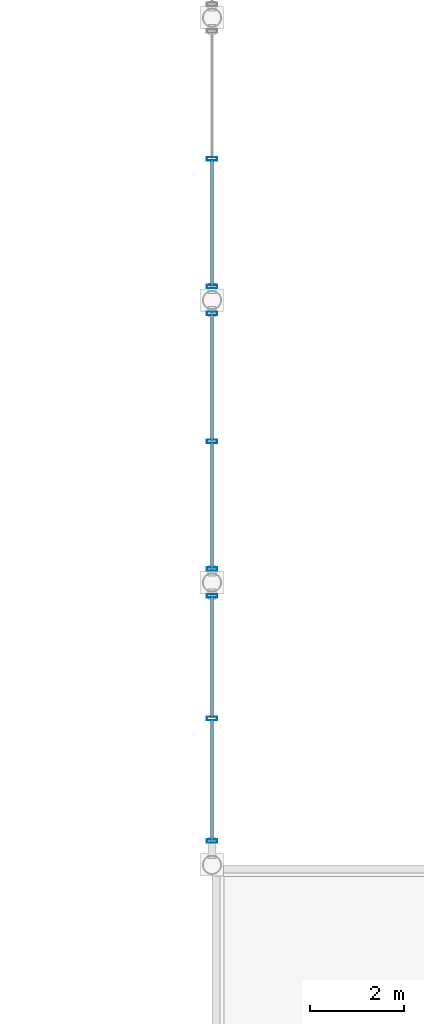
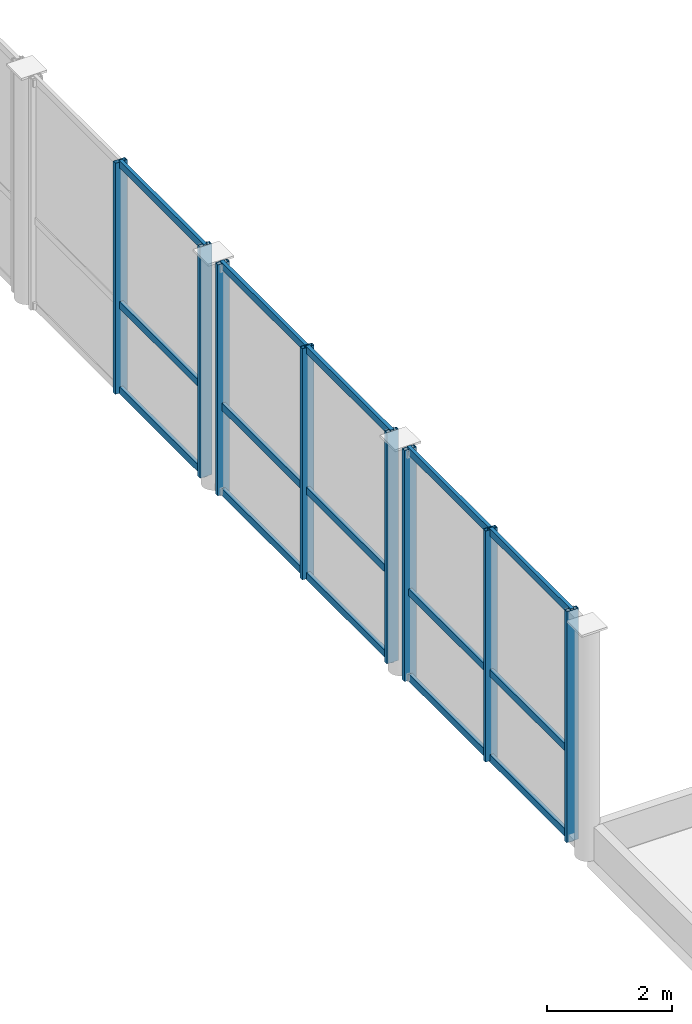
# One storey, part 31 of 133: 23 members, 3 elements without a shape of their own.
"""IFC4 building model written with IfcOpenShell, lengths in metres."""

import ifcopenshell
import ifcopenshell.guid

model = None  # the IFC model being written
_history = None  # IfcOwnerHistory: only IFC2X3 demands one
_inside = {}  # id of a spatial element -> (the spatial element, [elements in it])
_under = {}  # id of a project, library or spatial element -> (it, [spatial elements below it])
_declared = {}  # id of a project -> (the project, [libraries it declares])
_typed = {}  # id of a type object -> (the type object, [elements of that type])
_made_of = {}  # id of a material, layer set ... -> (it, [elements and type objects made of it])


def new_model(schema):
    """Start an empty IFC model of exactly this schema.

    Asked for "IFC4X3", IfcOpenShell would pick the latest addendum, in which some entities
    have other attributes; the version numbers below select the first issue.
    IFC2X3 requires an IfcOwnerHistory on every rooted entity: one is made here for all.
    """
    global model, _history
    if schema == "IFC4X3":
        model = ifcopenshell.file(schema_version=(4, 3, 0, 0))
    else:
        model = ifcopenshell.file(schema=schema)
    _inside.clear()
    _under.clear()
    _declared.clear()
    _typed.clear()
    _made_of.clear()
    _history = None
    if model.schema == "IFC2X3":
        org = make("IfcOrganization", Name="unknown")
        user = make(
            "IfcPersonAndOrganization",
            ThePerson=make("IfcPerson", FamilyName="unknown"),
            TheOrganization=org,
        )
        app = make(
            "IfcApplication",
            ApplicationDeveloper=org,
            Version="unknown",
            ApplicationFullName="unknown",
            ApplicationIdentifier="unknown",
        )
        _history = make(
            "IfcOwnerHistory",
            OwningUser=user,
            OwningApplication=app,
            ChangeAction="ADDED",
            CreationDate=0,
        )
    return model


def make(cls, **values):
    """One entity of the class cls with the attributes given. An attribute that is None is left unset."""
    return model.create_entity(
        cls, **{name: value for name, value in values.items() if value is not None}
    )


def rooted(cls, **values):
    """An entity with a GlobalId (a new one), such as an element, a storey or a relation."""
    return make(cls, GlobalId=ifcopenshell.guid.new(), OwnerHistory=_history, **values)


def si_unit(unit_type, name, prefix=None):
    """IfcSIUnit, for example si_unit("LENGTHUNIT", "METRE", prefix="MILLI")."""
    return make("IfcSIUnit", UnitType=unit_type, Prefix=prefix, Name=name)


def assignment(units):
    """IfcUnitAssignment: the units of a project."""
    return None if units is None else make("IfcUnitAssignment", Units=units)


def point(xyz):
    """IfcCartesianPoint."""
    return None if xyz is None else make("IfcCartesianPoint", Coordinates=xyz)


def direction(xyz):
    """IfcDirection."""
    return None if xyz is None else make("IfcDirection", DirectionRatios=xyz)


def frame(location, z_axis=None, x_axis=None):
    """IfcAxis2Placement3D, a coordinate frame: its origin and axes. An axis left out is left unset."""
    return make(
        "IfcAxis2Placement3D",
        Location=point(location),
        Axis=direction(z_axis),
        RefDirection=direction(x_axis),
    )


def frame_2d(location, x_axis=None):
    """IfcAxis2Placement2D, a coordinate frame in the plane: its origin and x axis."""
    return make(
        "IfcAxis2Placement2D", Location=point(location), RefDirection=direction(x_axis)
    )


def origin():
    """The frame at (0, 0, 0) with its axes left unset."""
    return frame((0.0, 0.0, 0.0))


def origin_2d():
    """The frame at (0, 0) in the plane with its x axis left unset."""
    return frame_2d((0.0, 0.0))


def place(relative_to, where):
    """IfcLocalPlacement: puts the frame where relative to a parent placement (None: the world)."""
    return make(
        "IfcLocalPlacement", PlacementRelTo=relative_to, RelativePlacement=where
    )


def context(
    kind, dimensions, precision=None, world=None, true_north=None, identifier=None
):
    """IfcGeometricRepresentationContext, for example the 3D "Model" context."""
    return make(
        "IfcGeometricRepresentationContext",
        ContextIdentifier=identifier,
        ContextType=kind,
        CoordinateSpaceDimension=dimensions,
        Precision=precision,
        WorldCoordinateSystem=world,
        TrueNorth=true_north,
    )


def subcontext(parent, identifier, kind, view, scale=None):
    """IfcGeometricRepresentationSubContext, for example "Body" below "Model"."""
    return make(
        "IfcGeometricRepresentationSubContext",
        ContextIdentifier=identifier,
        ContextType=kind,
        ParentContext=parent,
        TargetScale=scale,
        TargetView=view,
    )


def project(units=None, contexts=None):
    """IfcProject with its units and contexts."""
    return rooted(
        "IfcProject",
        Name="project",
        RepresentationContexts=contexts,
        UnitsInContext=assignment(units),
    )


def spatial(cls, under=None, at=None, **own):
    """A site, building, storey or space (cls), placed at a placement, below another one or the project."""
    s = rooted(cls, ObjectPlacement=at, **own)
    if under is not None:
        _under.setdefault(under.id(), (under, []))[1].append(s)
    return s


def profile(cls, at=None, kind="AREA", **sizes):
    """A parametric profile (cls). Its sizes go by their IFC names, for example OverallWidth=200.0."""
    return make(cls, ProfileType=kind, Position=at, **sizes)


def hollow_rectangle(**sizes):
    """IfcRectangleHollowProfileDef."""
    return profile("IfcRectangleHollowProfileDef", **sizes)


def extrude(swept, where, along, depth):
    """IfcExtrudedAreaSolid: the profile swept, set in the frame where, extruded along a direction by depth."""
    return make(
        "IfcExtrudedAreaSolid",
        SweptArea=swept,
        Position=where,
        ExtrudedDirection=direction(along),
        Depth=depth,
    )


def shape(context_of_items, identifier, shape_type, items):
    """IfcShapeRepresentation: the items that make up one representation, for example the "Body"."""
    return make(
        "IfcShapeRepresentation",
        ContextOfItems=context_of_items,
        RepresentationIdentifier=identifier,
        RepresentationType=shape_type,
        Items=items,
    )


def material(Name=None, Category=None):
    """IfcMaterial."""
    return make("IfcMaterial", Name=Name, Category=Category)


def material_profile(
    of_material, cross_section, Name=None, Category=None, Priority=None
):
    """IfcMaterialProfile: a cross section and its material."""
    return make(
        "IfcMaterialProfile",
        Name=Name,
        Material=of_material,
        Profile=cross_section,
        Priority=Priority,
        Category=Category,
    )


def profile_set(profiles, Name=None, composite=None):
    """IfcMaterialProfileSet."""
    return make(
        "IfcMaterialProfileSet",
        Name=Name,
        MaterialProfiles=profiles,
        CompositeProfile=composite,
    )


def made_of(thing, what):
    """Note that an element or type object is made of a material, layer set ...; save() writes the relation."""
    if what is not None:
        _made_of.setdefault(what.id(), (what, []))[1].append(thing)
    return thing


def type_object(cls, material=None, **own):
    """A type object (cls), such as IfcWallType, which elements share."""
    return made_of(rooted(cls, **own), material)


def element(
    cls,
    number,
    at=None,
    inside=None,
    cuts=None,
    type_object=None,
    material=None,
    context=None,
    identifier="Body",
    shape_type=None,
    held_by="IfcProductDefinitionShape",
    body=None,
    shapes=None,
    **own,
):
    """One element of the class cls, such as IfcWall. Its Tag is "e" and its number.

    at: its placement. inside: the storey or other place that contains it. cuts: it is an
    opening in that element (IfcRelVoidsElement). A single representation is given by context,
    identifier, shape_type and body (its items); several are given by shapes. held_by: the class
    of the entity that holds the representations. save() writes the other relations.
    """
    e = rooted(cls, Tag="e%d" % number, ObjectPlacement=at, **own)
    if body is not None:
        shapes = [shape(context, identifier, shape_type, body)]
    if shapes is not None:
        e.Representation = make(held_by, Representations=shapes)
    if inside is not None:
        _inside.setdefault(inside.id(), (inside, []))[1].append(e)
    if cuts is not None:
        rooted(
            "IfcRelVoidsElement", RelatingBuildingElement=cuts, RelatedOpeningElement=e
        )
    if type_object is not None:
        _typed.setdefault(type_object.id(), (type_object, []))[1].append(e)
    return made_of(e, material)


def aggregate(whole, parts):
    """IfcRelAggregates: a whole, such as a stair, and the parts it consists of."""
    return rooted("IfcRelAggregates", RelatingObject=whole, RelatedObjects=parts)


def save(model, path):
    """Write the relations noted so far, then the file.

    IfcRelAggregates (storeys below a building ...), IfcRelContainedInSpatialStructure (elements
    in a storey), IfcRelDefinesByType, IfcRelAssociatesMaterial and IfcRelDeclares: one each for
    every whole, place, type object, material and project.
    """
    for whole, parts in _under.values():
        aggregate(whole, parts)
    for where, things in _inside.values():
        rooted(
            "IfcRelContainedInSpatialStructure",
            RelatedElements=things,
            RelatingStructure=where,
        )
    for kind, things in _typed.values():
        rooted("IfcRelDefinesByType", RelatedObjects=things, RelatingType=kind)
    for what, things in _made_of.values():
        rooted("IfcRelAssociatesMaterial", RelatedObjects=things, RelatingMaterial=what)
    for by, libraries in _declared.values():
        rooted("IfcRelDeclares", RelatingContext=by, RelatedDefinitions=libraries)
    model.write(path)


model = new_model("IFC4")

# Units and contexts
model_context = context("Model", 3, precision=1e-05, world=origin(), true_north=direction((0.0, 1.0)))
body_context = subcontext(model_context, "Body", "Model", "MODEL_VIEW")
ifc_project = project(units=[si_unit("LENGTHUNIT", "METRE"), si_unit("AREAUNIT", "SQUARE_METRE"), si_unit("VOLUMEUNIT", "CUBIC_METRE"), si_unit("PLANEANGLEUNIT", "RADIAN"), si_unit("MASSUNIT", "GRAM", prefix="KILO"), si_unit("THERMODYNAMICTEMPERATUREUNIT", "KELVIN"), si_unit("POWERUNIT", "WATT")], contexts=[model_context])

# Site, building, storey
site_placement = place(None, origin())
site = spatial("IfcSite", under=ifc_project, at=site_placement, CompositionType="ELEMENT")
building_placement = place(site_placement, origin())
building = spatial("IfcBuilding", under=site, at=building_placement, Name="Phaisarnlok Congress Hotel", CompositionType="ELEMENT")
storey_placement = place(building_placement, frame((0.0, 0.0, 6.0)))
storey = spatial("IfcBuildingStorey", under=building, at=storey_placement, Name="L01", CompositionType="ELEMENT", Elevation=6.0)

# Curtain wall, members
ifc_material_1 = material(Name="Thermally Broken Unitised Aluminium & Low-E Glazing", Category="aluminium")
curtain_wall_type_1 = type_object("IfcCurtainWallType", Name="CW-UNIT-40", PredefinedType="NOTDEFINED", material=ifc_material_1)
curtain_wall_1_placement = place(storey_placement, origin())
curtain_wall_1 = element("IfcCurtainWall", 1, at=curtain_wall_1_placement, inside=storey, type_object=curtain_wall_type_1, Name="Unitised curtain wall CW-40 (L01)", PredefinedType="NOTDEFINED")
ifc_material_2 = material(Name="Anodised Aluminium Alloy 6063-T6", Category="aluminium")
ifc_material_profile_1 = material_profile(ifc_material_2, hollow_rectangle(XDim=0.074951171875, YDim=0.219970703125, WallThickness=0.0048828125, at=origin_2d()), Name="ALU-M 75x220x5")
ifc_profile_set_1 = profile_set([ifc_material_profile_1], Name="Anodised Aluminium Alloy 6063-T6")
member_type_1 = type_object("IfcMemberType", Name="CWM-220", PredefinedType="MULLION", material=ifc_profile_set_1)
member_1_placement = place(storey_placement, frame((120.0, 53.715087890625, -0.02001953125), z_axis=(0.0, 0.0, 1.0), x_axis=(0.0, -1.0, 0.0)))
member_1 = element("IfcMember", 2, at=member_1_placement, type_object=member_type_1, Name="Curtain wall mullion CWM-02", PredefinedType="MULLION", context=body_context, shape_type="SweptSolid", body=[
    extrude(hollow_rectangle(XDim=0.074951171875, YDim=0.219970703125, WallThickness=0.0048828125, at=origin_2d()), origin(), (0.0, 0.0, 1.0), 4.530029296875),
])
member_2_placement = place(storey_placement, frame((120.0, 51.110107421875, -0.02001953125), z_axis=(0.0, 0.0, 1.0), x_axis=(0.0, -1.0, 0.0)))
member_2 = element("IfcMember", 3, at=member_2_placement, type_object=member_type_1, Name="Curtain wall mullion CWM-02", PredefinedType="MULLION", context=body_context, shape_type="SweptSolid", body=[
    extrude(hollow_rectangle(XDim=0.074951171875, YDim=0.219970703125, WallThickness=0.0048828125, at=origin_2d()), origin(), (0.0, 0.0, 1.0), 4.530029296875),
])
member_3_placement = place(storey_placement, frame((120.0, 48.5048828125, -0.02001953125), z_axis=(0.0, 0.0, 1.0), x_axis=(0.0, -1.0, 0.0)))
member_3 = element("IfcMember", 4, at=member_3_placement, type_object=member_type_1, Name="Curtain wall mullion CWM-02", PredefinedType="MULLION", context=body_context, shape_type="SweptSolid", body=[
    extrude(hollow_rectangle(XDim=0.074951171875, YDim=0.219970703125, WallThickness=0.0048828125, at=origin_2d()), origin(), (0.0, 0.0, 1.0), 4.530029296875),
])

curtain_wall_type_2 = type_object("IfcCurtainWallType", Name="CW-UNIT-43", PredefinedType="NOTDEFINED", material=ifc_material_1)
curtain_wall_2_placement = place(storey_placement, origin())
curtain_wall_2 = element("IfcCurtainWall", 5, at=curtain_wall_2_placement, inside=storey, type_object=curtain_wall_type_2, Name="Unitised curtain wall CW-43 (L01)", PredefinedType="NOTDEFINED")
member_4_placement = place(storey_placement, frame((120.0, 59.715087890625, -0.02001953125), z_axis=(0.0, 0.0, 1.0), x_axis=(0.0, -1.0, 0.0)))
member_4 = element("IfcMember", 6, at=member_4_placement, type_object=member_type_1, Name="Curtain wall mullion CWM-02", PredefinedType="MULLION", context=body_context, shape_type="SweptSolid", body=[
    extrude(hollow_rectangle(XDim=0.074951171875, YDim=0.219970703125, WallThickness=0.0048828125, at=origin_2d()), origin(), (0.0, 0.0, 1.0), 4.530029296875),
])
member_5_placement = place(storey_placement, frame((120.0, 57.0, -0.02001953125), z_axis=(0.0, 0.0, 1.0), x_axis=(0.0, -1.0, 0.0)))
member_5 = element("IfcMember", 7, at=member_5_placement, type_object=member_type_1, Name="Curtain wall mullion CWM-02", PredefinedType="MULLION", context=body_context, shape_type="SweptSolid", body=[
    extrude(hollow_rectangle(XDim=0.074951171875, YDim=0.219970703125, WallThickness=0.0048828125, at=origin_2d()), origin(), (0.0, 0.0, 1.0), 4.530029296875),
])
member_6_placement = place(storey_placement, frame((120.0, 54.284912109375, -0.02001953125), z_axis=(0.0, 0.0, 1.0), x_axis=(0.0, -1.0, 0.0)))
member_6 = element("IfcMember", 8, at=member_6_placement, type_object=member_type_1, Name="Curtain wall mullion CWM-02", PredefinedType="MULLION", context=body_context, shape_type="SweptSolid", body=[
    extrude(hollow_rectangle(XDim=0.074951171875, YDim=0.219970703125, WallThickness=0.0048828125, at=origin_2d()), origin(), (0.0, 0.0, 1.0), 4.530029296875),
])

curtain_wall_3_placement = place(storey_placement, origin())
curtain_wall_3 = element("IfcCurtainWall", 9, at=curtain_wall_3_placement, inside=storey, type_object=curtain_wall_type_2, Name="Unitised curtain wall CW-43 (L01)", PredefinedType="NOTDEFINED")
member_7_placement = place(storey_placement, frame((120.0, 63.0, -0.02001953125), z_axis=(0.0, 0.0, 1.0), x_axis=(0.0, -1.0, 0.0)))
member_7 = element("IfcMember", 10, at=member_7_placement, type_object=member_type_1, Name="Curtain wall mullion CWM-02", PredefinedType="MULLION", context=body_context, shape_type="SweptSolid", body=[
    extrude(hollow_rectangle(XDim=0.074951171875, YDim=0.219970703125, WallThickness=0.0048828125, at=origin_2d()), origin(), (0.0, 0.0, 1.0), 4.530029296875),
])
member_8_placement = place(storey_placement, frame((120.0, 60.284912109375, -0.02001953125), z_axis=(0.0, 0.0, 1.0), x_axis=(0.0, -1.0, 0.0)))
member_8 = element("IfcMember", 11, at=member_8_placement, type_object=member_type_1, Name="Curtain wall mullion CWM-02", PredefinedType="MULLION", context=body_context, shape_type="SweptSolid", body=[
    extrude(hollow_rectangle(XDim=0.074951171875, YDim=0.219970703125, WallThickness=0.0048828125, at=origin_2d()), origin(), (0.0, 0.0, 1.0), 4.530029296875),
])

# Member
ifc_material_profile_2 = material_profile(ifc_material_2, hollow_rectangle(XDim=0.06494140625, YDim=0.139892578125, WallThickness=0.00390625, at=origin_2d()), Name="ALU-T 65x140x4")
ifc_profile_set_2 = profile_set([ifc_material_profile_2], Name="Anodised Aluminium Alloy 6063-T6")
member_type_2 = type_object("IfcMemberType", Name="CWT-150", PredefinedType="USERDEFINED", material=ifc_profile_set_2)
member_9_placement = place(storey_placement, frame((120.0, 53.739990234375, 0.030029296875), z_axis=(0.0, -1.0, 0.0), x_axis=(1.0, 0.0, 0.0)))
member_9 = element("IfcMember", 12, at=member_9_placement, type_object=member_type_2, Name="Curtain wall transom CWT-01", ObjectType="TRANSOM", PredefinedType="USERDEFINED", context=body_context, shape_type="SweptSolid", body=[
    extrude(hollow_rectangle(XDim=0.06494140625, YDim=0.139892578125, WallThickness=0.00390625, at=origin_2d()), origin(), (0.0, 0.0, 1.0), 2.614990234375),
])

member_10_placement = place(storey_placement, frame((120.0, 53.739990234375, 1.701416015625), z_axis=(0.0, -1.0, 0.0), x_axis=(1.0, 0.0, 0.0)))
member_10 = element("IfcMember", 13, at=member_10_placement, type_object=member_type_2, Name="Curtain wall transom CWT-01", ObjectType="TRANSOM", PredefinedType="USERDEFINED", context=body_context, shape_type="SweptSolid", body=[
    extrude(hollow_rectangle(XDim=0.06494140625, YDim=0.139892578125, WallThickness=0.00390625, at=origin_2d()), origin(), (0.0, 0.0, 1.0), 2.614990234375),
])

member_11_placement = place(storey_placement, frame((120.0, 53.739990234375, 4.4599609375), z_axis=(0.0, -1.0, 0.0), x_axis=(1.0, 0.0, 0.0)))
member_11 = element("IfcMember", 14, at=member_11_placement, type_object=member_type_2, Name="Curtain wall transom CWT-01", ObjectType="TRANSOM", PredefinedType="USERDEFINED", context=body_context, shape_type="SweptSolid", body=[
    extrude(hollow_rectangle(XDim=0.06494140625, YDim=0.139892578125, WallThickness=0.00390625, at=origin_2d()), origin(), (0.0, 0.0, 1.0), 2.614990234375),
])

member_12_placement = place(storey_placement, frame((120.0, 51.094970703125, 0.030029296875), z_axis=(0.0, -1.0, 0.0), x_axis=(1.0, 0.0, 0.0)))
member_12 = element("IfcMember", 15, at=member_12_placement, type_object=member_type_2, Name="Curtain wall transom CWT-01", ObjectType="TRANSOM", PredefinedType="USERDEFINED", context=body_context, shape_type="SweptSolid", body=[
    extrude(hollow_rectangle(XDim=0.06494140625, YDim=0.139892578125, WallThickness=0.00390625, at=origin_2d()), origin(), (0.0, 0.0, 1.0), 2.614990234375),
])

member_13_placement = place(storey_placement, frame((120.0, 51.094970703125, 1.701416015625), z_axis=(0.0, -1.0, 0.0), x_axis=(1.0, 0.0, 0.0)))
member_13 = element("IfcMember", 16, at=member_13_placement, type_object=member_type_2, Name="Curtain wall transom CWT-01", ObjectType="TRANSOM", PredefinedType="USERDEFINED", context=body_context, shape_type="SweptSolid", body=[
    extrude(hollow_rectangle(XDim=0.06494140625, YDim=0.139892578125, WallThickness=0.00390625, at=origin_2d()), origin(), (0.0, 0.0, 1.0), 2.614990234375),
])

member_14_placement = place(storey_placement, frame((120.0, 51.094970703125, 4.4599609375), z_axis=(0.0, -1.0, 0.0), x_axis=(1.0, 0.0, 0.0)))
member_14 = element("IfcMember", 17, at=member_14_placement, type_object=member_type_2, Name="Curtain wall transom CWT-01", ObjectType="TRANSOM", PredefinedType="USERDEFINED", context=body_context, shape_type="SweptSolid", body=[
    extrude(hollow_rectangle(XDim=0.06494140625, YDim=0.139892578125, WallThickness=0.00390625, at=origin_2d()), origin(), (0.0, 0.0, 1.0), 2.614990234375),
])

aggregate(curtain_wall_1, [member_1, member_2, member_3, member_9, member_10, member_11, member_12, member_13, member_14])

member_15_placement = place(storey_placement, frame((120.0, 59.739990234375, 0.030029296875), z_axis=(0.0, -1.0, 0.0), x_axis=(1.0, 0.0, 0.0)))
member_15 = element("IfcMember", 18, at=member_15_placement, type_object=member_type_2, Name="Curtain wall transom CWT-01", ObjectType="TRANSOM", PredefinedType="USERDEFINED", context=body_context, shape_type="SweptSolid", body=[
    extrude(hollow_rectangle(XDim=0.06494140625, YDim=0.139892578125, WallThickness=0.00390625, at=origin_2d()), origin(), (0.0, 0.0, 1.0), 2.72509765625),
])

member_16_placement = place(storey_placement, frame((120.0, 59.739990234375, 1.701416015625), z_axis=(0.0, -1.0, 0.0), x_axis=(1.0, 0.0, 0.0)))
member_16 = element("IfcMember", 19, at=member_16_placement, type_object=member_type_2, Name="Curtain wall transom CWT-01", ObjectType="TRANSOM", PredefinedType="USERDEFINED", context=body_context, shape_type="SweptSolid", body=[
    extrude(hollow_rectangle(XDim=0.06494140625, YDim=0.139892578125, WallThickness=0.00390625, at=origin_2d()), origin(), (0.0, 0.0, 1.0), 2.72509765625),
])

member_17_placement = place(storey_placement, frame((120.0, 59.739990234375, 4.4599609375), z_axis=(0.0, -1.0, 0.0), x_axis=(1.0, 0.0, 0.0)))
member_17 = element("IfcMember", 20, at=member_17_placement, type_object=member_type_2, Name="Curtain wall transom CWT-01", ObjectType="TRANSOM", PredefinedType="USERDEFINED", context=body_context, shape_type="SweptSolid", body=[
    extrude(hollow_rectangle(XDim=0.06494140625, YDim=0.139892578125, WallThickness=0.00390625, at=origin_2d()), origin(), (0.0, 0.0, 1.0), 2.72509765625),
])

member_18_placement = place(storey_placement, frame((120.0, 56.985107421875, 0.030029296875), z_axis=(0.0, -1.0, 0.0), x_axis=(1.0, 0.0, 0.0)))
member_18 = element("IfcMember", 21, at=member_18_placement, type_object=member_type_2, Name="Curtain wall transom CWT-01", ObjectType="TRANSOM", PredefinedType="USERDEFINED", context=body_context, shape_type="SweptSolid", body=[
    extrude(hollow_rectangle(XDim=0.06494140625, YDim=0.139892578125, WallThickness=0.00390625, at=origin_2d()), origin(), (0.0, 0.0, 1.0), 2.72509765625),
])

member_19_placement = place(storey_placement, frame((120.0, 56.985107421875, 1.701416015625), z_axis=(0.0, -1.0, 0.0), x_axis=(1.0, 0.0, 0.0)))
member_19 = element("IfcMember", 22, at=member_19_placement, type_object=member_type_2, Name="Curtain wall transom CWT-01", ObjectType="TRANSOM", PredefinedType="USERDEFINED", context=body_context, shape_type="SweptSolid", body=[
    extrude(hollow_rectangle(XDim=0.06494140625, YDim=0.139892578125, WallThickness=0.00390625, at=origin_2d()), origin(), (0.0, 0.0, 1.0), 2.72509765625),
])

member_20_placement = place(storey_placement, frame((120.0, 56.985107421875, 4.4599609375), z_axis=(0.0, -1.0, 0.0), x_axis=(1.0, 0.0, 0.0)))
member_20 = element("IfcMember", 23, at=member_20_placement, type_object=member_type_2, Name="Curtain wall transom CWT-01", ObjectType="TRANSOM", PredefinedType="USERDEFINED", context=body_context, shape_type="SweptSolid", body=[
    extrude(hollow_rectangle(XDim=0.06494140625, YDim=0.139892578125, WallThickness=0.00390625, at=origin_2d()), origin(), (0.0, 0.0, 1.0), 2.72509765625),
])

aggregate(curtain_wall_2, [member_4, member_5, member_6, member_15, member_16, member_17, member_18, member_19, member_20])

member_21_placement = place(storey_placement, frame((120.0, 62.985107421875, 0.030029296875), z_axis=(0.0, -1.0, 0.0), x_axis=(1.0, 0.0, 0.0)))
member_21 = element("IfcMember", 24, at=member_21_placement, type_object=member_type_2, Name="Curtain wall transom CWT-01", ObjectType="TRANSOM", PredefinedType="USERDEFINED", context=body_context, shape_type="SweptSolid", body=[
    extrude(hollow_rectangle(XDim=0.06494140625, YDim=0.139892578125, WallThickness=0.00390625, at=origin_2d()), origin(), (0.0, 0.0, 1.0), 2.72509765625),
])

member_22_placement = place(storey_placement, frame((120.0, 62.985107421875, 1.701416015625), z_axis=(0.0, -1.0, 0.0), x_axis=(1.0, 0.0, 0.0)))
member_22 = element("IfcMember", 25, at=member_22_placement, type_object=member_type_2, Name="Curtain wall transom CWT-01", ObjectType="TRANSOM", PredefinedType="USERDEFINED", context=body_context, shape_type="SweptSolid", body=[
    extrude(hollow_rectangle(XDim=0.06494140625, YDim=0.139892578125, WallThickness=0.00390625, at=origin_2d()), origin(), (0.0, 0.0, 1.0), 2.72509765625),
])

member_23_placement = place(storey_placement, frame((120.0, 62.985107421875, 4.4599609375), z_axis=(0.0, -1.0, 0.0), x_axis=(1.0, 0.0, 0.0)))
member_23 = element("IfcMember", 26, at=member_23_placement, type_object=member_type_2, Name="Curtain wall transom CWT-01", ObjectType="TRANSOM", PredefinedType="USERDEFINED", context=body_context, shape_type="SweptSolid", body=[
    extrude(hollow_rectangle(XDim=0.06494140625, YDim=0.139892578125, WallThickness=0.00390625, at=origin_2d()), origin(), (0.0, 0.0, 1.0), 2.72509765625),
])

aggregate(curtain_wall_3, [member_7, member_8, member_21, member_22, member_23])

save(model, "model.ifc")
